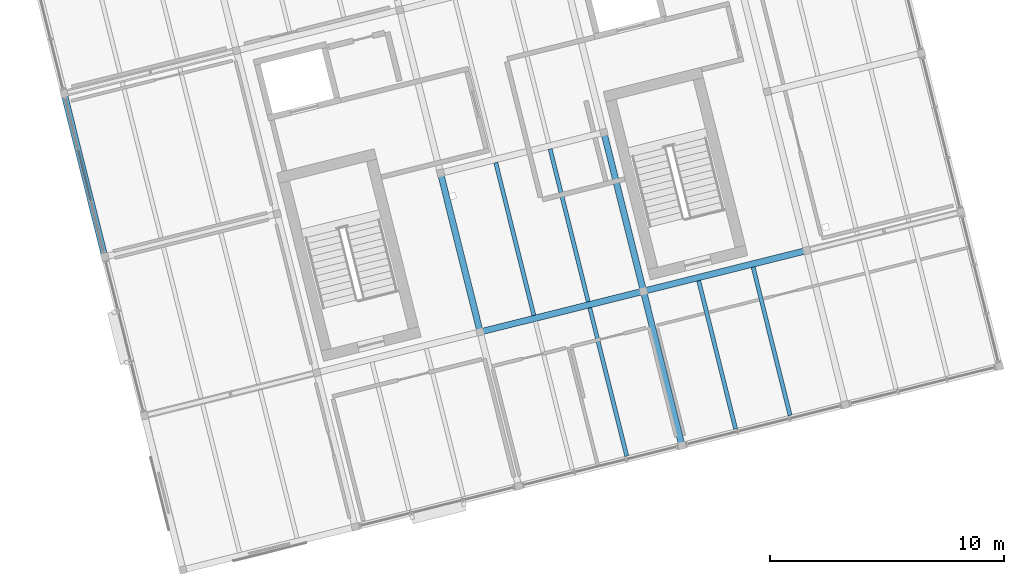
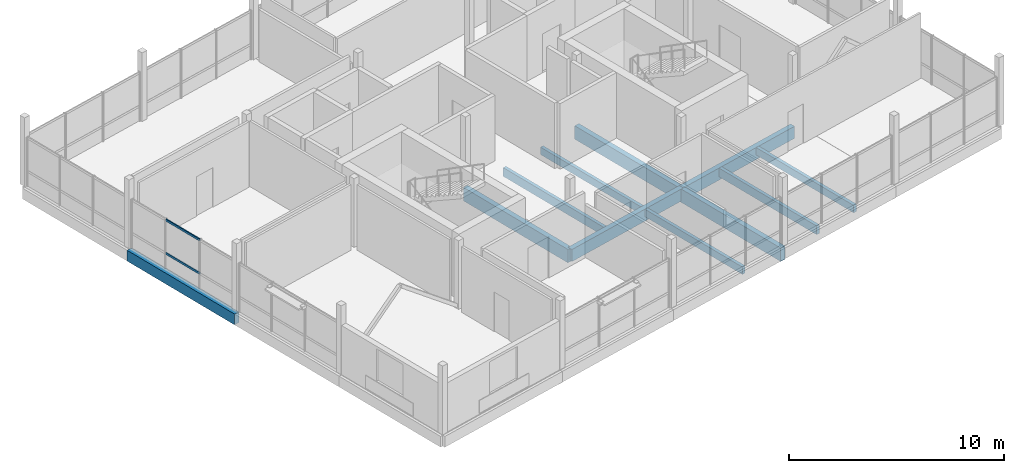
# One storey, part 8 of 25: 11 beams, 2 members, 1 element without a shape of its own.
"""IFC4 building model written with IfcOpenShell, lengths in metres."""

from ifc_helpers import new_model, si_unit, direction, frame, origin, origin_2d, place, context, subcontext, project, spatial, rectangle, hollow_rectangle, extrude, material, layer, layer_set, material_profile, profile_set, type_object, element, aggregate, save


model = new_model("IFC4")

# Units and contexts
model_context = context("Model", 3, precision=1e-05, world=origin(), true_north=direction((0.0, 1.0)))
body_context = subcontext(model_context, "Body", "Model", "MODEL_VIEW")
ifc_project = project(units=[si_unit("LENGTHUNIT", "METRE"), si_unit("AREAUNIT", "SQUARE_METRE"), si_unit("VOLUMEUNIT", "CUBIC_METRE"), si_unit("PLANEANGLEUNIT", "RADIAN"), si_unit("MASSUNIT", "GRAM", prefix="KILO")], contexts=[model_context])

# Site, building, storey
site_placement = place(None, origin())
site = spatial("IfcSite", under=ifc_project, at=site_placement, CompositionType="ELEMENT")
building_placement = place(site_placement, origin())
building = spatial("IfcBuilding", under=site, at=building_placement, Name="Meriwether Solvik Hall", CompositionType="ELEMENT")
storey_placement = place(building_placement, frame((0.0, 0.0, 49.5)))
storey = spatial("IfcBuildingStorey", under=building, at=storey_placement, Name="L12", CompositionType="ELEMENT", Elevation=49.5)

# Beams
ifc_material_1 = material(Name="Glulam Douglas-Fir 24F-V8 GL28h", Category="wood")
ifc_material_profile_1 = material_profile(ifc_material_1, rectangle(XDim=0.27294921875, YDim=0.610107421875, at=origin_2d()), Name="GLB-273X610")
ifc_profile_set_1 = profile_set([ifc_material_profile_1], Name="Glulam Douglas-Fir 24F-V8 GL28h")
beam_type_1 = type_object("IfcBeamType", Name="BM-GL-273X610", PredefinedType="SPANDREL", material=ifc_profile_set_1)
beam_1_placement = place(storey_placement, frame((65.261474609375, 54.590087890625, -0.485107421875), z_axis=(-0.241937193493, 0.970291911955, 0.0), x_axis=(-0.970291911955, -0.241937193493, 0.0)))
element("IfcBeam", 1, at=beam_1_placement, inside=storey, type_object=beam_type_1, Name="Tower Girder T1:TC-TD (L12)", PredefinedType="SPANDREL", context=body_context, shape_type="SweptSolid", body=[
    extrude(rectangle(XDim=0.27294921875, YDim=0.610107421875, at=origin_2d()), origin(), (0.0, 0.0, 1.0), 7.199951171875),
])
ifc_material_2 = material(Name="Glulam Douglas-Fir 24F-V8 GL28h", Category="wood")
ifc_material_profile_2 = material_profile(ifc_material_2, rectangle(XDim=0.27294921875, YDim=0.68505859375, at=origin_2d()), Name="GLB-273X685")
ifc_profile_set_2 = profile_set([ifc_material_profile_2], Name="Glulam Douglas-Fir 24F-V8 GL28h")
beam_type_2 = type_object("IfcBeamType", Name="BM-GL-273X685", PredefinedType="BEAM", material=ifc_profile_set_2)
for number, where, z_axis, x_axis, name in (
    (2, (81.3154296875, 51.37841796875, -0.5224609375), (0.970291911955, 0.241937193493, 0.0), (-0.241937193493, 0.970291911955, 0.0), "Tower Girder TB:T3-T4 (L12)"),
    (3, (88.301513671875, 53.120361328125, -0.5224609375), (0.970299871507, 0.241905269381, 0.0), (-0.241905269381, 0.970299871507, 0.0), "Tower Girder TB:T4-T5 (L12)"),
):
    element("IfcBeam", number, at=place(storey_placement, frame(where, z_axis=z_axis, x_axis=x_axis)), inside=storey, type_object=beam_type_2, Name=name, PredefinedType="BEAM", context=body_context, shape_type="SweptSolid", body=[
        extrude(rectangle(XDim=0.27294921875, YDim=0.68505859375, at=origin_2d()), origin(), (0.0, 0.0, 1.0), 7.199951171875),
    ])
ifc_material_3 = material(Name="Glulam Douglas-Fir 24F-V8 GL28h", Category="wood")
ifc_material_profile_3 = material_profile(ifc_material_3, rectangle(XDim=0.27294921875, YDim=0.760009765625, at=origin_2d()), Name="GLB-273X760")
ifc_profile_set_3 = profile_set([ifc_material_profile_3], Name="Glulam Douglas-Fir 24F-V8 GL28h")
beam_type_3 = type_object("IfcBeamType", Name="BM-GL-273X760", PredefinedType="BEAM", material=ifc_profile_set_3)
beam_2_placement = place(storey_placement, frame((81.3154296875, 51.37841796875, -0.56005859375), z_axis=(-0.241944715397, 0.970290036376, 0.0), x_axis=(-0.970290036376, -0.241944715397, 0.0)))
element("IfcBeam", 4, at=beam_2_placement, inside=storey, type_object=beam_type_3, Name="Tower Girder T3:TB-TC (L12)", PredefinedType="BEAM", context=body_context, shape_type="SweptSolid", body=[
    extrude(rectangle(XDim=0.27294921875, YDim=0.760009765625, at=origin_2d()), origin(), (0.0, 0.0, 1.0), 7.0),
])
beam_3_placement = place(storey_placement, frame((89.946533203125, 46.522216796875, -0.56005859375), z_axis=(-0.24191045034, 0.970298579828, 0.0), x_axis=(-0.970298579828, -0.24191045034, 0.0)))
element("IfcBeam", 5, at=beam_3_placement, inside=storey, type_object=beam_type_3, Name="Tower Girder T4:TA-TB (L12)", PredefinedType="BEAM", context=body_context, shape_type="SweptSolid", body=[
    extrude(rectangle(XDim=0.27294921875, YDim=0.760009765625, at=origin_2d()), origin(), (0.0, 0.0, 1.0), 6.800048828125),
])
beam_4_placement = place(storey_placement, frame((88.301513671875, 53.120361328125, -0.56005859375), z_axis=(-0.241944715397, 0.970290036376, 0.0), x_axis=(-0.970290036376, -0.241944715397, 0.0)))
element("IfcBeam", 6, at=beam_4_placement, inside=storey, type_object=beam_type_3, Name="Tower Girder T4:TB-TC (L12)", PredefinedType="BEAM", context=body_context, shape_type="SweptSolid", body=[
    extrude(rectangle(XDim=0.27294921875, YDim=0.760009765625, at=origin_2d()), origin(), (0.0, 0.0, 1.0), 7.0),
])

# Curtain wall, members
ifc_material_4 = material(Name="Thermally Broken Anodised Aluminium 6063-T6 and Low-E Glass", Category="aluminium")
ifc_layer = layer(ifc_material_4, 0.179931640625)
ifc_layer_set = layer_set([ifc_layer], Name="Thermally Broken Anodised Aluminium 6063-T6 and Low-E Glass")
curtain_wall_type = type_object("IfcCurtainWallType", Name="CW-UNIT-A", PredefinedType="USERDEFINED", material=ifc_layer_set)
curtain_wall_placement = place(storey_placement, origin())
curtain_wall = element("IfcCurtainWall", 7, at=curtain_wall_placement, inside=storey, type_object=curtain_wall_type, Name="Curtain Wall E3_B2 (L12)", ObjectType="UNITISED CURTAIN WALL", PredefinedType="USERDEFINED")
ifc_material_5 = material(Name="Anodised Aluminium 6063-T6", Category="aluminium")
ifc_material_profile_4 = material_profile(ifc_material_5, hollow_rectangle(XDim=0.06005859375, YDim=0.1201171875, WallThickness=0.00390625, at=origin_2d()), Name="CWT-60X120")
ifc_profile_set_4 = profile_set([ifc_material_profile_4], Name="Anodised Aluminium 6063-T6")
member_type = type_object("IfcMemberType", Name="CW-TRN-60X120", PredefinedType="USERDEFINED", material=ifc_profile_set_4)
member_1_placement = place(storey_placement, frame((64.667236328125, 56.9736328125, 0.8369140625), z_axis=(-0.241907601634, 0.97029929005, 0.0), x_axis=(-0.97029929005, -0.241907601634, 0.0)))
member_1 = element("IfcMember", 8, at=member_1_placement, type_object=member_type, Name="Curtain Wall Transom 2-sill", ObjectType="TRANSOM", PredefinedType="USERDEFINED", context=body_context, shape_type="SweptSolid", body=[
    extrude(hollow_rectangle(XDim=0.06005859375, YDim=0.1201171875, WallThickness=0.00390625, at=origin_2d()), origin(), (0.0, 0.0, 1.0), 2.286865234375),
])
member_2_placement = place(storey_placement, frame((64.667236328125, 56.9736328125, 2.72998046875), z_axis=(-0.241907601634, 0.97029929005, 0.0), x_axis=(-0.97029929005, -0.241907601634, 0.0)))
member_2 = element("IfcMember", 9, at=member_2_placement, type_object=member_type, Name="Curtain Wall Transom 2-head", ObjectType="TRANSOM", PredefinedType="USERDEFINED", context=body_context, shape_type="SweptSolid", body=[
    extrude(hollow_rectangle(XDim=0.06005859375, YDim=0.1201171875, WallThickness=0.00390625, at=origin_2d()), origin(), (0.0, 0.0, 1.0), 2.286865234375),
])
aggregate(curtain_wall, [member_1, member_2])

# Beams
ifc_material_6 = material(Name="Glulam Douglas-Fir 24F-V8 GL28h", Category="wood")
ifc_material_profile_5 = material_profile(ifc_material_6, rectangle(XDim=0.175048828125, YDim=0.419921875, at=origin_2d()), Name="GLJ-175X420")
ifc_profile_set_5 = profile_set([ifc_material_profile_5], Name="Glulam Douglas-Fir 24F-V8 GL28h")
beam_type_4 = type_object("IfcBeamType", Name="JST-GL-175X420", PredefinedType="JOIST", material=ifc_profile_set_5)
beam_5_placement = place(storey_placement, frame((87.5859375, 46.0693359375, -0.389892578125), z_axis=(-0.241902854765, 0.970300473491, 0.0), x_axis=(-0.970300473491, -0.241902854765, 0.0)))
element("IfcBeam", 10, at=beam_5_placement, inside=storey, type_object=beam_type_4, Name="Glulam Floor Joist T3/TA-J2 (L12)", PredefinedType="JOIST", context=body_context, shape_type="SweptSolid", body=[
    extrude(rectangle(XDim=0.175048828125, YDim=0.419921875, at=origin_2d()), origin(), (0.0, 0.0, 1.0), 6.536865234375),
])
beam_6_placement = place(storey_placement, frame((85.94091796875, 52.667236328125, -0.389892578125), z_axis=(-0.241930176813, 0.9702936615, 0.0), x_axis=(-0.9702936615, -0.241930176813, 0.0)))
element("IfcBeam", 11, at=beam_6_placement, inside=storey, type_object=beam_type_4, Name="Glulam Floor Joist T3/TB-J2 (L12)", PredefinedType="JOIST", context=body_context, shape_type="SweptSolid", body=[
    extrude(rectangle(XDim=0.175048828125, YDim=0.419921875, at=origin_2d()), origin(), (0.0, 0.0, 1.0), 6.737060546875),
])
beam_7_placement = place(storey_placement, frame((94.572021484375, 47.81103515625, -0.389892578125), z_axis=(-0.241902854765, 0.970300473491, 0.0), x_axis=(-0.970300473491, -0.241902854765, 0.0)))
element("IfcBeam", 12, at=beam_7_placement, inside=storey, type_object=beam_type_4, Name="Glulam Floor Joist T4/TA-J2 (L12)", PredefinedType="JOIST", context=body_context, shape_type="SweptSolid", body=[
    extrude(rectangle(XDim=0.175048828125, YDim=0.419921875, at=origin_2d()), origin(), (0.0, 0.0, 1.0), 6.536865234375),
])
ifc_material_7 = material(Name="Glulam Douglas-Fir 24F-V8 GL28h", Category="wood")
ifc_material_profile_6 = material_profile(ifc_material_7, rectangle(XDim=0.175048828125, YDim=0.4951171875, at=origin_2d()), Name="GLJ-175X495")
ifc_profile_set_6 = profile_set([ifc_material_profile_6], Name="Glulam Douglas-Fir 24F-V8 GL28h")
beam_type_5 = type_object("IfcBeamType", Name="JST-GL-175X495", PredefinedType="JOIST", material=ifc_profile_set_6)
beam_8_placement = place(storey_placement, frame((83.6123046875, 52.086669921875, -0.427490234375), z_axis=(-0.241930176813, 0.9702936615, 0.0), x_axis=(-0.9702936615, -0.241930176813, 0.0)))
element("IfcBeam", 13, at=beam_8_placement, inside=storey, type_object=beam_type_5, Name="Glulam Floor Joist T3/TB-J1 (L12)", PredefinedType="JOIST", context=body_context, shape_type="SweptSolid", body=[
    extrude(rectangle(XDim=0.175048828125, YDim=0.4951171875, at=origin_2d()), origin(), (0.0, 0.0, 1.0), 6.737060546875),
])
beam_9_placement = place(storey_placement, frame((92.243408203125, 47.23046875, -0.427490234375), z_axis=(-0.241938016776, 0.970291706673, 0.0), x_axis=(-0.970291706673, -0.241938016776, 0.0)))
element("IfcBeam", 14, at=beam_9_placement, inside=storey, type_object=beam_type_5, Name="Glulam Floor Joist T4/TA-J1 (L12)", PredefinedType="JOIST", context=body_context, shape_type="SweptSolid", body=[
    extrude(rectangle(XDim=0.175048828125, YDim=0.4951171875, at=origin_2d()), origin(), (0.0, 0.0, 1.0), 6.536865234375),
])

save(model, "model.ifc")
